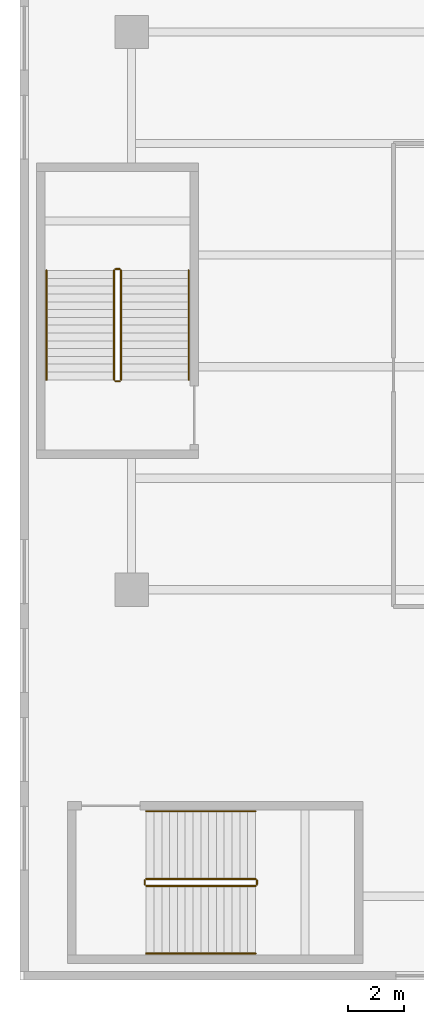
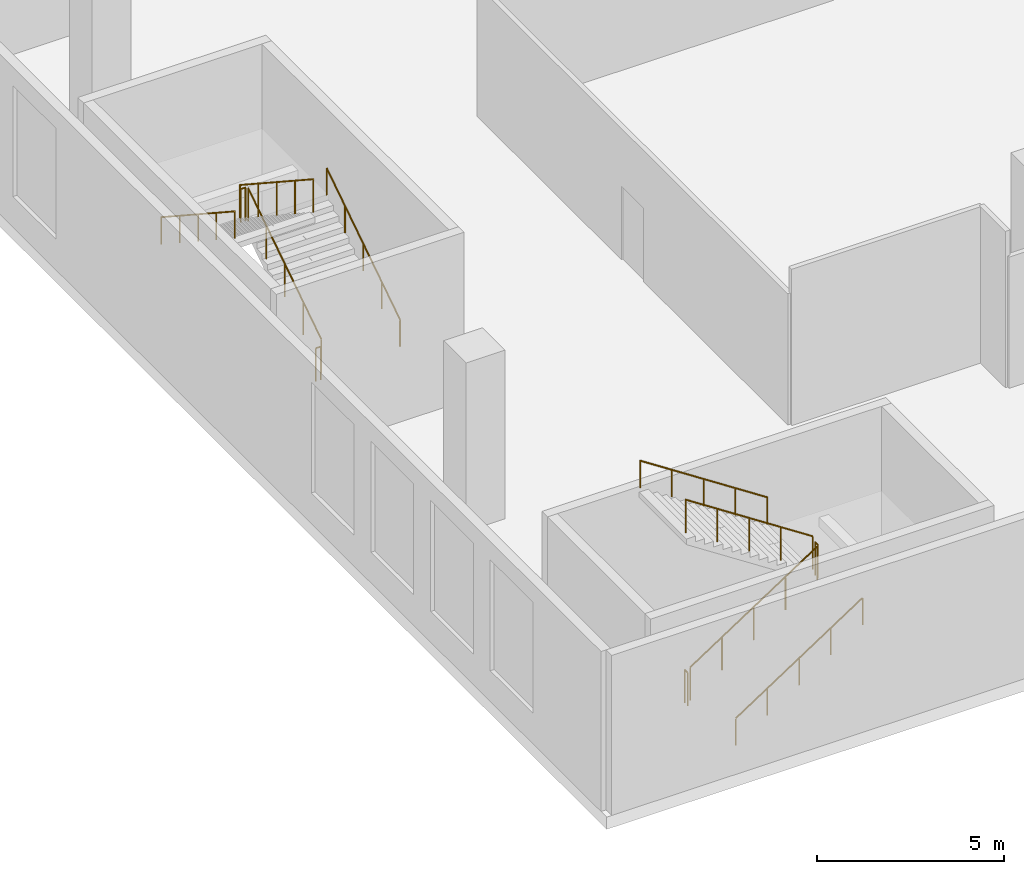
# One storey, part 18 of 26: 12 railings.
"""IFC4 building model written with IfcOpenShell, lengths in metres."""

from ifc_helpers import new_model, si_unit, direction, frame, origin, origin_2d, place, context, subcontext, project, spatial, circle, extrude, material, type_object, element, save


model = new_model("IFC4")

# Units and contexts
model_context = context("Model", 3, precision=1e-05, world=origin(), true_north=direction((0.0, 1.0)))
body_context = subcontext(model_context, "Body", "Model", "MODEL_VIEW")
ifc_project = project(units=[si_unit("LENGTHUNIT", "METRE"), si_unit("AREAUNIT", "SQUARE_METRE"), si_unit("VOLUMEUNIT", "CUBIC_METRE"), si_unit("PLANEANGLEUNIT", "RADIAN"), si_unit("MASSUNIT", "GRAM", prefix="KILO")], contexts=[model_context])

# Site, building, storey
site_placement = place(None, origin())
site = spatial("IfcSite", under=ifc_project, at=site_placement, CompositionType="ELEMENT")
building_placement = place(site_placement, origin())
building = spatial("IfcBuilding", under=site, at=building_placement, Name="Tel Ilan Convention Tower", CompositionType="ELEMENT")
storey_placement = place(building_placement, frame((0.0, 0.0, 37.5)))
storey = spatial("IfcBuildingStorey", under=building, at=storey_placement, Name="L05", CompositionType="ELEMENT", Elevation=37.5)

# Railings
ifc_material_1 = material(Name="Stainless Steel Grade 316", Category="steel")
railing_type_1 = type_object("IfcRailingType", Name="Stainless Steel Stair Guard 1100 mm", PredefinedType="GUARDRAIL", material=ifc_material_1)
railing_1_placement = place(storey_placement, frame((-45.47509765625, -78.625, 0.183349609375)))
element("IfcRailing", 1, at=railing_1_placement, inside=storey, type_object=railing_type_1, Name="L05 P1 stair guard 1", PredefinedType="GUARDRAIL", context=body_context, shape_type="SweptSolid", body=[
    extrude(circle(Radius=0.02392578125, at=origin_2d()), frame((0.0, 0.0, 1.076171875), z_axis=(0.836630751959, 0.0, 0.54776727255), x_axis=(0.0, 1.0, 0.0)), (0.0, 0.0, 1.0), 4.685546875),
    extrude(circle(Radius=0.02099609375, at=origin_2d()), origin(), (0.0, 0.0, 1.0), 1.052001953125),
    extrude(circle(Radius=0.02099609375, at=origin_2d()), frame((0.97998046875, 0.0, 0.6416015625)), (0.0, 0.0, 1.0), 1.052001953125),
    extrude(circle(Radius=0.02099609375, at=origin_2d()), frame((1.9599609375, 0.0, 1.283203125)), (0.0, 0.0, 1.0), 1.052001953125),
    extrude(circle(Radius=0.02099609375, at=origin_2d()), frame((2.940185546875, 0.0, 1.925048828125)), (0.0, 0.0, 1.0), 1.052001953125),
    extrude(circle(Radius=0.02099609375, at=origin_2d()), frame((3.920166015625, 0.0, 2.566650390625)), (0.0, 0.0, 1.0), 1.052001953125),
])
railing_2_placement = place(storey_placement, frame((-41.5048828125, -78.574951171875, 2.75)))
element("IfcRailing", 2, at=railing_2_placement, inside=storey, type_object=railing_type_1, Name="L05 P1 stair guard 2", PredefinedType="GUARDRAIL", context=body_context, shape_type="SweptSolid", body=[
    extrude(circle(Radius=0.02392578125, at=origin_2d()), frame((0.0, 0.0, 1.076171875), z_axis=(0.0, 1.0, 0.0), x_axis=(-1.0, 0.0, 0.0)), (0.0, 0.0, 1.0), 0.14990234375),
    extrude(circle(Radius=0.02099609375, at=origin_2d()), origin(), (0.0, 0.0, 1.0), 1.052001953125),
    extrude(circle(Radius=0.02099609375, at=origin_2d()), frame((0.0, 0.14990234375, 0.0)), (0.0, 0.0, 1.0), 1.052001953125),
])
railing_3_placement = place(storey_placement, frame((-41.554931640625, -78.375, 2.933349609375)))
element("IfcRailing", 3, at=railing_3_placement, inside=storey, type_object=railing_type_1, Name="L05 P1 stair guard 3", PredefinedType="GUARDRAIL", context=body_context, shape_type="SweptSolid", body=[
    extrude(circle(Radius=0.02392578125, at=origin_2d()), frame((0.0, 0.0, 1.076171875), z_axis=(-0.836630751959, 0.0, 0.54776727255), x_axis=(0.0, -1.0, 0.0)), (0.0, 0.0, 1.0), 4.685546875),
    extrude(circle(Radius=0.02099609375, at=origin_2d()), origin(), (0.0, 0.0, 1.0), 1.052001953125),
    extrude(circle(Radius=0.02099609375, at=origin_2d()), frame((-0.97998046875, 0.0, 0.6416015625)), (0.0, 0.0, 1.0), 1.052001953125),
    extrude(circle(Radius=0.02099609375, at=origin_2d()), frame((-1.9599609375, 0.0, 1.283203125)), (0.0, 0.0, 1.0), 1.052001953125),
    extrude(circle(Radius=0.02099609375, at=origin_2d()), frame((-2.940185546875, 0.0, 1.925048828125)), (0.0, 0.0, 1.0), 1.052001953125),
    extrude(circle(Radius=0.02099609375, at=origin_2d()), frame((-3.920166015625, 0.0, 2.566650390625)), (0.0, 0.0, 1.0), 1.052001953125),
])
railing_4_placement = place(storey_placement, frame((-45.52490234375, -78.574951171875, 0.0)))
element("IfcRailing", 4, at=railing_4_placement, inside=storey, type_object=railing_type_1, Name="L05 P1 stair guard 4", PredefinedType="GUARDRAIL", context=body_context, shape_type="SweptSolid", body=[
    extrude(circle(Radius=0.02392578125, at=origin_2d()), frame((0.0, 0.0, 1.076171875), z_axis=(0.0, 1.0, 0.0), x_axis=(-1.0, 0.0, 0.0)), (0.0, 0.0, 1.0), 0.14990234375),
    extrude(circle(Radius=0.02099609375, at=origin_2d()), origin(), (0.0, 0.0, 1.0), 1.052001953125),
    extrude(circle(Radius=0.02099609375, at=origin_2d()), frame((0.0, 0.14990234375, 0.0)), (0.0, 0.0, 1.0), 1.052001953125),
])
railing_5_placement = place(storey_placement, frame((-46.375, -60.47509765625, 0.183349609375)))
element("IfcRailing", 5, at=railing_5_placement, inside=storey, type_object=railing_type_1, Name="L05 P5 stair guard 1", PredefinedType="GUARDRAIL", context=body_context, shape_type="SweptSolid", body=[
    extrude(circle(Radius=0.02392578125, at=origin_2d()), frame((0.0, 0.0, 1.076171875), z_axis=(0.0, 0.836630751959, 0.54776727255), x_axis=(-1.0, 0.0, 0.0)), (0.0, 0.0, 1.0), 4.685546875),
    extrude(circle(Radius=0.02099609375, at=origin_2d()), origin(), (0.0, 0.0, 1.0), 1.052001953125),
    extrude(circle(Radius=0.02099609375, at=origin_2d()), frame((0.0, 0.97998046875, 0.6416015625)), (0.0, 0.0, 1.0), 1.052001953125),
    extrude(circle(Radius=0.02099609375, at=origin_2d()), frame((0.0, 1.9599609375, 1.283203125)), (0.0, 0.0, 1.0), 1.052001953125),
    extrude(circle(Radius=0.02099609375, at=origin_2d()), frame((0.0, 2.940185546875, 1.925048828125)), (0.0, 0.0, 1.0), 1.052001953125),
    extrude(circle(Radius=0.02099609375, at=origin_2d()), frame((0.0, 3.920166015625, 2.566650390625)), (0.0, 0.0, 1.0), 1.052001953125),
])
railing_6_placement = place(storey_placement, frame((-46.425048828125, -56.5048828125, 2.75)))
element("IfcRailing", 6, at=railing_6_placement, inside=storey, type_object=railing_type_1, Name="L05 P5 stair guard 2", PredefinedType="GUARDRAIL", context=body_context, shape_type="SweptSolid", body=[
    extrude(circle(Radius=0.02392578125, at=origin_2d()), frame((0.0, 0.0, 1.076171875), z_axis=(-1.0, 0.0, 0.0), x_axis=(0.0, -1.0, 0.0)), (0.0, 0.0, 1.0), 0.14990234375),
    extrude(circle(Radius=0.02099609375, at=origin_2d()), origin(), (0.0, 0.0, 1.0), 1.052001953125),
    extrude(circle(Radius=0.02099609375, at=origin_2d()), frame((-0.14990234375, 0.0, 0.0)), (0.0, 0.0, 1.0), 1.052001953125),
])
railing_7_placement = place(storey_placement, frame((-46.625, -56.554931640625, 2.933349609375)))
element("IfcRailing", 7, at=railing_7_placement, inside=storey, type_object=railing_type_1, Name="L05 P5 stair guard 3", PredefinedType="GUARDRAIL", context=body_context, shape_type="SweptSolid", body=[
    extrude(circle(Radius=0.02392578125, at=origin_2d()), frame((0.0, 0.0, 1.076171875), z_axis=(0.0, -0.836630751959, 0.54776727255), x_axis=(1.0, 0.0, 0.0)), (0.0, 0.0, 1.0), 4.685546875),
    extrude(circle(Radius=0.02099609375, at=origin_2d()), origin(), (0.0, 0.0, 1.0), 1.052001953125),
    extrude(circle(Radius=0.02099609375, at=origin_2d()), frame((0.0, -0.97998046875, 0.6416015625)), (0.0, 0.0, 1.0), 1.052001953125),
    extrude(circle(Radius=0.02099609375, at=origin_2d()), frame((0.0, -1.9599609375, 1.283203125)), (0.0, 0.0, 1.0), 1.052001953125),
    extrude(circle(Radius=0.02099609375, at=origin_2d()), frame((0.0, -2.940185546875, 1.925048828125)), (0.0, 0.0, 1.0), 1.052001953125),
    extrude(circle(Radius=0.02099609375, at=origin_2d()), frame((0.0, -3.920166015625, 2.566650390625)), (0.0, 0.0, 1.0), 1.052001953125),
])
railing_8_placement = place(storey_placement, frame((-46.425048828125, -60.52490234375, 0.0)))
element("IfcRailing", 8, at=railing_8_placement, inside=storey, type_object=railing_type_1, Name="L05 P5 stair guard 4", PredefinedType="GUARDRAIL", context=body_context, shape_type="SweptSolid", body=[
    extrude(circle(Radius=0.02392578125, at=origin_2d()), frame((0.0, 0.0, 1.076171875), z_axis=(-1.0, 0.0, 0.0), x_axis=(0.0, -1.0, 0.0)), (0.0, 0.0, 1.0), 0.14990234375),
    extrude(circle(Radius=0.02099609375, at=origin_2d()), origin(), (0.0, 0.0, 1.0), 1.052001953125),
    extrude(circle(Radius=0.02099609375, at=origin_2d()), frame((-0.14990234375, 0.0, 0.0)), (0.0, 0.0, 1.0), 1.052001953125),
])
ifc_material_2 = material(Name="Stainless Steel Grade 316", Category="steel")
railing_type_2 = type_object("IfcRailingType", Name="Stainless Steel Stair Handrail 900 mm", PredefinedType="HANDRAIL", material=ifc_material_2)
railing_9_placement = place(storey_placement, frame((-45.47509765625, -81.050048828125, 0.183349609375)))
element("IfcRailing", 9, at=railing_9_placement, inside=storey, type_object=railing_type_2, Name="L05 P1 stair handrail 1", PredefinedType="HANDRAIL", context=body_context, shape_type="SweptSolid", body=[
    extrude(circle(Radius=0.02392578125, at=origin_2d()), frame((0.0, 0.0, 0.8759765625), z_axis=(0.836630751959, 0.0, 0.54776727255), x_axis=(0.0, 1.0, 0.0)), (0.0, 0.0, 1.0), 4.685546875),
    extrude(circle(Radius=0.02099609375, at=origin_2d()), origin(), (0.0, 0.0, 1.0), 0.851806640625),
    extrude(circle(Radius=0.02099609375, at=origin_2d()), frame((0.97998046875, 0.0, 0.6416015625)), (0.0, 0.0, 1.0), 0.851806640625),
    extrude(circle(Radius=0.02099609375, at=origin_2d()), frame((1.9599609375, 0.0, 1.283203125)), (0.0, 0.0, 1.0), 0.851806640625),
    extrude(circle(Radius=0.02099609375, at=origin_2d()), frame((2.940185546875, 0.0, 1.925048828125)), (0.0, 0.0, 1.0), 0.851806640625),
    extrude(circle(Radius=0.02099609375, at=origin_2d()), frame((3.920166015625, 0.0, 2.566650390625)), (0.0, 0.0, 1.0), 0.851806640625),
])
railing_10_placement = place(storey_placement, frame((-41.554931640625, -75.949951171875, 2.933349609375)))
element("IfcRailing", 10, at=railing_10_placement, inside=storey, type_object=railing_type_2, Name="L05 P1 stair handrail 2", PredefinedType="HANDRAIL", context=body_context, shape_type="SweptSolid", body=[
    extrude(circle(Radius=0.02392578125, at=origin_2d()), frame((0.0, 0.0, 0.8759765625), z_axis=(-0.836630751959, 0.0, 0.54776727255), x_axis=(0.0, -1.0, 0.0)), (0.0, 0.0, 1.0), 4.685546875),
    extrude(circle(Radius=0.02099609375, at=origin_2d()), origin(), (0.0, 0.0, 1.0), 0.851806640625),
    extrude(circle(Radius=0.02099609375, at=origin_2d()), frame((-0.97998046875, 0.0, 0.6416015625)), (0.0, 0.0, 1.0), 0.851806640625),
    extrude(circle(Radius=0.02099609375, at=origin_2d()), frame((-1.9599609375, 0.0, 1.283203125)), (0.0, 0.0, 1.0), 0.851806640625),
    extrude(circle(Radius=0.02099609375, at=origin_2d()), frame((-2.940185546875, 0.0, 1.925048828125)), (0.0, 0.0, 1.0), 0.851806640625),
    extrude(circle(Radius=0.02099609375, at=origin_2d()), frame((-3.920166015625, 0.0, 2.566650390625)), (0.0, 0.0, 1.0), 0.851806640625),
])
railing_11_placement = place(storey_placement, frame((-43.949951171875, -60.47509765625, 0.183349609375)))
element("IfcRailing", 11, at=railing_11_placement, inside=storey, type_object=railing_type_2, Name="L05 P5 stair handrail 1", PredefinedType="HANDRAIL", context=body_context, shape_type="SweptSolid", body=[
    extrude(circle(Radius=0.02392578125, at=origin_2d()), frame((0.0, 0.0, 0.8759765625), z_axis=(0.0, 0.836630751959, 0.54776727255), x_axis=(-1.0, 0.0, 0.0)), (0.0, 0.0, 1.0), 4.685546875),
    extrude(circle(Radius=0.02099609375, at=origin_2d()), origin(), (0.0, 0.0, 1.0), 0.851806640625),
    extrude(circle(Radius=0.02099609375, at=origin_2d()), frame((0.0, 0.97998046875, 0.6416015625)), (0.0, 0.0, 1.0), 0.851806640625),
    extrude(circle(Radius=0.02099609375, at=origin_2d()), frame((0.0, 1.9599609375, 1.283203125)), (0.0, 0.0, 1.0), 0.851806640625),
    extrude(circle(Radius=0.02099609375, at=origin_2d()), frame((0.0, 2.940185546875, 1.925048828125)), (0.0, 0.0, 1.0), 0.851806640625),
    extrude(circle(Radius=0.02099609375, at=origin_2d()), frame((0.0, 3.920166015625, 2.566650390625)), (0.0, 0.0, 1.0), 0.851806640625),
])
railing_12_placement = place(storey_placement, frame((-49.050048828125, -56.554931640625, 2.933349609375)))
element("IfcRailing", 12, at=railing_12_placement, inside=storey, type_object=railing_type_2, Name="L05 P5 stair handrail 2", PredefinedType="HANDRAIL", context=body_context, shape_type="SweptSolid", body=[
    extrude(circle(Radius=0.02392578125, at=origin_2d()), frame((0.0, 0.0, 0.8759765625), z_axis=(0.0, -0.836630751959, 0.54776727255), x_axis=(1.0, 0.0, 0.0)), (0.0, 0.0, 1.0), 4.685546875),
    extrude(circle(Radius=0.02099609375, at=origin_2d()), origin(), (0.0, 0.0, 1.0), 0.851806640625),
    extrude(circle(Radius=0.02099609375, at=origin_2d()), frame((0.0, -0.97998046875, 0.6416015625)), (0.0, 0.0, 1.0), 0.851806640625),
    extrude(circle(Radius=0.02099609375, at=origin_2d()), frame((0.0, -1.9599609375, 1.283203125)), (0.0, 0.0, 1.0), 0.851806640625),
    extrude(circle(Radius=0.02099609375, at=origin_2d()), frame((0.0, -2.940185546875, 1.925048828125)), (0.0, 0.0, 1.0), 0.851806640625),
    extrude(circle(Radius=0.02099609375, at=origin_2d()), frame((0.0, -3.920166015625, 2.566650390625)), (0.0, 0.0, 1.0), 0.851806640625),
])

save(model, "model.ifc")
